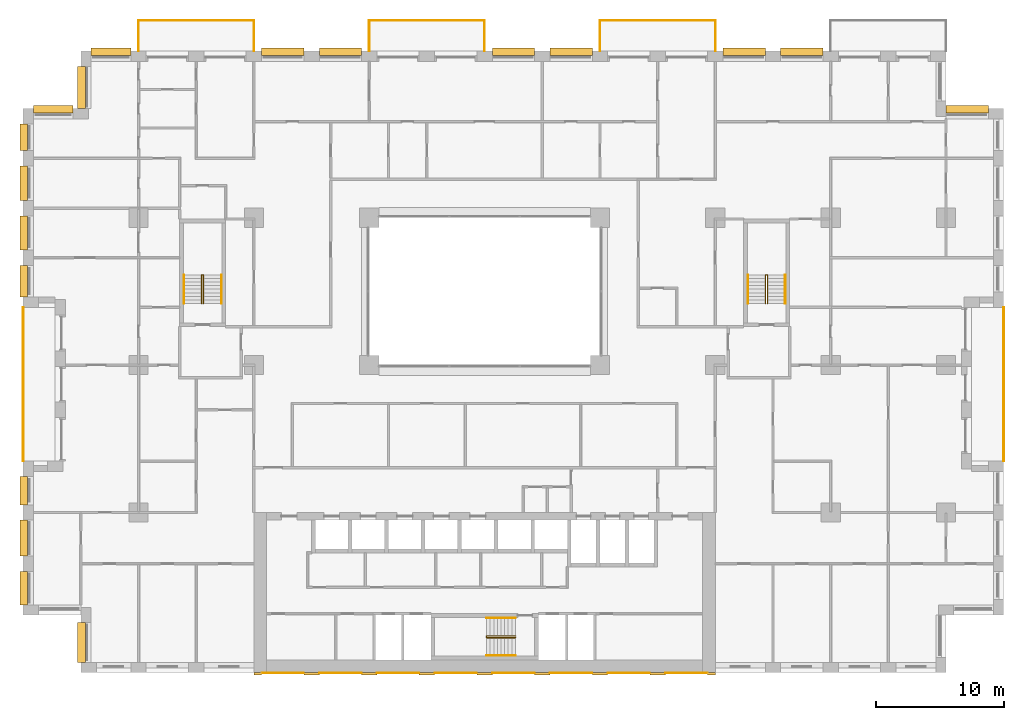
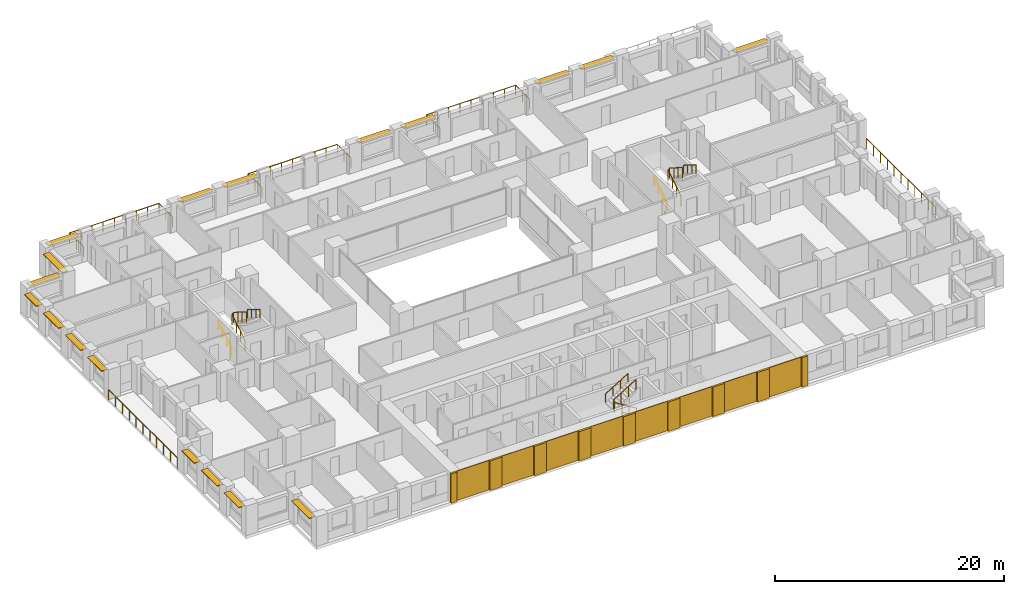
# One storey, part 18 of 19: 18 shading devices, 17 coverings, 14 railings.
"""IFC4 building model written with IfcOpenShell, lengths in metres."""

from ifc_helpers import new_model, si_unit, direction, frame, origin, origin_2d, place, context, subcontext, project, spatial, rectangle, circle, extrude, material, layer, layer_set, type_object, element, save


model = new_model("IFC4")

# Units and contexts
model_context = context("Model", 3, precision=1e-05, world=origin(), true_north=direction((0.0, 1.0)))
body_context = subcontext(model_context, "Body", "Model", "MODEL_VIEW")
ifc_project = project(units=[si_unit("LENGTHUNIT", "METRE"), si_unit("AREAUNIT", "SQUARE_METRE"), si_unit("VOLUMEUNIT", "CUBIC_METRE"), si_unit("PLANEANGLEUNIT", "RADIAN"), si_unit("MASSUNIT", "GRAM", prefix="KILO")], contexts=[model_context])

# Site, building, storey
site_placement = place(None, origin())
site = spatial("IfcSite", under=ifc_project, at=site_placement, CompositionType="ELEMENT")
building_placement = place(site_placement, origin())
building = spatial("IfcBuilding", under=site, at=building_placement, Name="Brigalow Station Residences", CompositionType="ELEMENT")
storey_placement = place(building_placement, frame((0.0, 0.0, 35.25)))
storey = spatial("IfcBuildingStorey", under=building, at=storey_placement, Name="L09", CompositionType="ELEMENT", Elevation=35.25)

# Railings
ifc_material_1 = material(Name="Stainless steel balustrade with laminated glass infill", Category="steel")
railing_type_1 = type_object("IfcRailingType", Name="BALCONY GUARD 1100", PredefinedType="GUARDRAIL", material=ifc_material_1)
railing_1_placement = place(storey_placement, frame((76.5, 16.5, -0.0400390625)))
element("IfcRailing", 1, at=railing_1_placement, inside=storey, type_object=railing_type_1, Name="L09/balcony-guard/1", PredefinedType="GUARDRAIL", context=body_context, shape_type="SweptSolid", body=[
    extrude(circle(Radius=0.02392578125, at=origin_2d()), frame((0.0, 0.0, 1.076171875), z_axis=(0.0, 1.0, 0.0), x_axis=(-1.0, 0.0, 0.0)), (0.0, 0.0, 1.0), 12.0),
    extrude(circle(Radius=0.02099609375, at=origin_2d()), origin(), (0.0, 0.0, 1.0), 1.052001953125),
    extrude(circle(Radius=0.02099609375, at=origin_2d()), frame((0.0, 1.199951171875, 0.0)), (0.0, 0.0, 1.0), 1.052001953125),
    extrude(circle(Radius=0.02099609375, at=origin_2d()), frame((0.0, 2.39990234375, 0.0)), (0.0, 0.0, 1.0), 1.052001953125),
    extrude(circle(Radius=0.02099609375, at=origin_2d()), frame((0.0, 3.60009765625, 0.0)), (0.0, 0.0, 1.0), 1.052001953125),
    extrude(circle(Radius=0.02099609375, at=origin_2d()), frame((0.0, 4.800048828125, 0.0)), (0.0, 0.0, 1.0), 1.052001953125),
    extrude(circle(Radius=0.02099609375, at=origin_2d()), frame((0.0, 6.0, 0.0)), (0.0, 0.0, 1.0), 1.052001953125),
    extrude(circle(Radius=0.02099609375, at=origin_2d()), frame((0.0, 7.199951171875, 0.0)), (0.0, 0.0, 1.0), 1.052001953125),
    extrude(circle(Radius=0.02099609375, at=origin_2d()), frame((0.0, 8.39990234375, 0.0)), (0.0, 0.0, 1.0), 1.052001953125),
    extrude(circle(Radius=0.02099609375, at=origin_2d()), frame((0.0, 9.60009765625, 0.0)), (0.0, 0.0, 1.0), 1.052001953125),
    extrude(circle(Radius=0.02099609375, at=origin_2d()), frame((0.0, 10.800048828125, 0.0)), (0.0, 0.0, 1.0), 1.052001953125),
    extrude(circle(Radius=0.02099609375, at=origin_2d()), frame((0.0, 12.0, 0.0)), (0.0, 0.0, 1.0), 1.052001953125),
])
railing_2_placement = place(storey_placement, frame((54.0, 48.5, -0.0400390625)))
element("IfcRailing", 2, at=railing_2_placement, inside=storey, type_object=railing_type_1, Name="L09/balcony-guard/3", PredefinedType="GUARDRAIL", context=body_context, shape_type="SweptSolid", body=[
    extrude(circle(Radius=0.02392578125, at=origin_2d()), frame((0.0, 0.0, 1.076171875), z_axis=(0.0, 1.0, 0.0), x_axis=(-1.0, 0.0, 0.0)), (0.0, 0.0, 1.0), 2.39990234375),
    extrude(circle(Radius=0.02392578125, at=origin_2d()), frame((0.0, 2.39990234375, 1.076171875), z_axis=(-1.0, 0.0, 0.0), x_axis=(0.0, -1.0, 0.0)), (0.0, 0.0, 1.0), 9.0),
    extrude(circle(Radius=0.02392578125, at=origin_2d()), frame((-9.0, 2.39990234375, 1.076171875), z_axis=(0.0, -1.0, 0.0), x_axis=(1.0, 0.0, 0.0)), (0.0, 0.0, 1.0), 2.39990234375),
    extrude(circle(Radius=0.02099609375, at=origin_2d()), origin(), (0.0, 0.0, 1.0), 1.052001953125),
    extrude(circle(Radius=0.02099609375, at=origin_2d()), frame((0.0, 1.199951171875, 0.0)), (0.0, 0.0, 1.0), 1.052001953125),
    extrude(circle(Radius=0.02099609375, at=origin_2d()), frame((0.0, 2.39990234375, 0.0)), (0.0, 0.0, 1.0), 1.052001953125),
    extrude(circle(Radius=0.02099609375, at=origin_2d()), frame((-1.125, 2.39990234375, 0.0)), (0.0, 0.0, 1.0), 1.052001953125),
    extrude(circle(Radius=0.02099609375, at=origin_2d()), frame((-2.25, 2.39990234375, 0.0)), (0.0, 0.0, 1.0), 1.052001953125),
    extrude(circle(Radius=0.02099609375, at=origin_2d()), frame((-3.375, 2.39990234375, 0.0)), (0.0, 0.0, 1.0), 1.052001953125),
    extrude(circle(Radius=0.02099609375, at=origin_2d()), frame((-4.5, 2.39990234375, 0.0)), (0.0, 0.0, 1.0), 1.052001953125),
    extrude(circle(Radius=0.02099609375, at=origin_2d()), frame((-5.625, 2.39990234375, 0.0)), (0.0, 0.0, 1.0), 1.052001953125),
    extrude(circle(Radius=0.02099609375, at=origin_2d()), frame((-6.75, 2.39990234375, 0.0)), (0.0, 0.0, 1.0), 1.052001953125),
    extrude(circle(Radius=0.02099609375, at=origin_2d()), frame((-7.875, 2.39990234375, 0.0)), (0.0, 0.0, 1.0), 1.052001953125),
    extrude(circle(Radius=0.02099609375, at=origin_2d()), frame((-9.0, 2.39990234375, 0.0)), (0.0, 0.0, 1.0), 1.052001953125),
    extrude(circle(Radius=0.02099609375, at=origin_2d()), frame((-9.0, 1.199951171875, 0.0)), (0.0, 0.0, 1.0), 1.052001953125),
    extrude(circle(Radius=0.02099609375, at=origin_2d()), frame((-9.0, 0.0, 0.0)), (0.0, 0.0, 1.0), 1.052001953125),
])
railing_3_placement = place(storey_placement, frame((36.0, 48.5, -0.0400390625)))
element("IfcRailing", 3, at=railing_3_placement, inside=storey, type_object=railing_type_1, Name="L09/balcony-guard/4", PredefinedType="GUARDRAIL", context=body_context, shape_type="SweptSolid", body=[
    extrude(circle(Radius=0.02392578125, at=origin_2d()), frame((0.0, 0.0, 1.076171875), z_axis=(0.0, 1.0, 0.0), x_axis=(-1.0, 0.0, 0.0)), (0.0, 0.0, 1.0), 2.39990234375),
    extrude(circle(Radius=0.02392578125, at=origin_2d()), frame((0.0, 2.39990234375, 1.076171875), z_axis=(-1.0, 0.0, 0.0), x_axis=(0.0, -1.0, 0.0)), (0.0, 0.0, 1.0), 9.0),
    extrude(circle(Radius=0.02392578125, at=origin_2d()), frame((-9.0, 2.39990234375, 1.076171875), z_axis=(0.0, -1.0, 0.0), x_axis=(1.0, 0.0, 0.0)), (0.0, 0.0, 1.0), 2.39990234375),
    extrude(circle(Radius=0.02099609375, at=origin_2d()), origin(), (0.0, 0.0, 1.0), 1.052001953125),
    extrude(circle(Radius=0.02099609375, at=origin_2d()), frame((0.0, 1.199951171875, 0.0)), (0.0, 0.0, 1.0), 1.052001953125),
    extrude(circle(Radius=0.02099609375, at=origin_2d()), frame((0.0, 2.39990234375, 0.0)), (0.0, 0.0, 1.0), 1.052001953125),
    extrude(circle(Radius=0.02099609375, at=origin_2d()), frame((-1.125, 2.39990234375, 0.0)), (0.0, 0.0, 1.0), 1.052001953125),
    extrude(circle(Radius=0.02099609375, at=origin_2d()), frame((-2.25, 2.39990234375, 0.0)), (0.0, 0.0, 1.0), 1.052001953125),
    extrude(circle(Radius=0.02099609375, at=origin_2d()), frame((-3.375, 2.39990234375, 0.0)), (0.0, 0.0, 1.0), 1.052001953125),
    extrude(circle(Radius=0.02099609375, at=origin_2d()), frame((-4.5, 2.39990234375, 0.0)), (0.0, 0.0, 1.0), 1.052001953125),
    extrude(circle(Radius=0.02099609375, at=origin_2d()), frame((-5.625, 2.39990234375, 0.0)), (0.0, 0.0, 1.0), 1.052001953125),
    extrude(circle(Radius=0.02099609375, at=origin_2d()), frame((-6.75, 2.39990234375, 0.0)), (0.0, 0.0, 1.0), 1.052001953125),
    extrude(circle(Radius=0.02099609375, at=origin_2d()), frame((-7.875, 2.39990234375, 0.0)), (0.0, 0.0, 1.0), 1.052001953125),
    extrude(circle(Radius=0.02099609375, at=origin_2d()), frame((-9.0, 2.39990234375, 0.0)), (0.0, 0.0, 1.0), 1.052001953125),
    extrude(circle(Radius=0.02099609375, at=origin_2d()), frame((-9.0, 1.199951171875, 0.0)), (0.0, 0.0, 1.0), 1.052001953125),
    extrude(circle(Radius=0.02099609375, at=origin_2d()), frame((-9.0, 0.0, 0.0)), (0.0, 0.0, 1.0), 1.052001953125),
])
railing_4_placement = place(storey_placement, frame((18.0, 48.5, -0.0400390625)))
element("IfcRailing", 4, at=railing_4_placement, inside=storey, type_object=railing_type_1, Name="L09/balcony-guard/5", PredefinedType="GUARDRAIL", context=body_context, shape_type="SweptSolid", body=[
    extrude(circle(Radius=0.02392578125, at=origin_2d()), frame((0.0, 0.0, 1.076171875), z_axis=(0.0, 1.0, 0.0), x_axis=(-1.0, 0.0, 0.0)), (0.0, 0.0, 1.0), 2.39990234375),
    extrude(circle(Radius=0.02392578125, at=origin_2d()), frame((0.0, 2.39990234375, 1.076171875), z_axis=(-1.0, 0.0, 0.0), x_axis=(0.0, -1.0, 0.0)), (0.0, 0.0, 1.0), 9.0),
    extrude(circle(Radius=0.02392578125, at=origin_2d()), frame((-9.0, 2.39990234375, 1.076171875), z_axis=(0.0, -1.0, 0.0), x_axis=(1.0, 0.0, 0.0)), (0.0, 0.0, 1.0), 2.39990234375),
    extrude(circle(Radius=0.02099609375, at=origin_2d()), origin(), (0.0, 0.0, 1.0), 1.052001953125),
    extrude(circle(Radius=0.02099609375, at=origin_2d()), frame((0.0, 1.199951171875, 0.0)), (0.0, 0.0, 1.0), 1.052001953125),
    extrude(circle(Radius=0.02099609375, at=origin_2d()), frame((0.0, 2.39990234375, 0.0)), (0.0, 0.0, 1.0), 1.052001953125),
    extrude(circle(Radius=0.02099609375, at=origin_2d()), frame((-1.125, 2.39990234375, 0.0)), (0.0, 0.0, 1.0), 1.052001953125),
    extrude(circle(Radius=0.02099609375, at=origin_2d()), frame((-2.25, 2.39990234375, 0.0)), (0.0, 0.0, 1.0), 1.052001953125),
    extrude(circle(Radius=0.02099609375, at=origin_2d()), frame((-3.375, 2.39990234375, 0.0)), (0.0, 0.0, 1.0), 1.052001953125),
    extrude(circle(Radius=0.02099609375, at=origin_2d()), frame((-4.5, 2.39990234375, 0.0)), (0.0, 0.0, 1.0), 1.052001953125),
    extrude(circle(Radius=0.02099609375, at=origin_2d()), frame((-5.625, 2.39990234375, 0.0)), (0.0, 0.0, 1.0), 1.052001953125),
    extrude(circle(Radius=0.02099609375, at=origin_2d()), frame((-6.75, 2.39990234375, 0.0)), (0.0, 0.0, 1.0), 1.052001953125),
    extrude(circle(Radius=0.02099609375, at=origin_2d()), frame((-7.875, 2.39990234375, 0.0)), (0.0, 0.0, 1.0), 1.052001953125),
    extrude(circle(Radius=0.02099609375, at=origin_2d()), frame((-9.0, 2.39990234375, 0.0)), (0.0, 0.0, 1.0), 1.052001953125),
    extrude(circle(Radius=0.02099609375, at=origin_2d()), frame((-9.0, 1.199951171875, 0.0)), (0.0, 0.0, 1.0), 1.052001953125),
    extrude(circle(Radius=0.02099609375, at=origin_2d()), frame((-9.0, 0.0, 0.0)), (0.0, 0.0, 1.0), 1.052001953125),
])
railing_5_placement = place(storey_placement, frame((0.0, 28.5, -0.0400390625)))
element("IfcRailing", 5, at=railing_5_placement, inside=storey, type_object=railing_type_1, Name="L09/balcony-guard/6", PredefinedType="GUARDRAIL", context=body_context, shape_type="SweptSolid", body=[
    extrude(circle(Radius=0.02392578125, at=origin_2d()), frame((0.0, 0.0, 1.076171875), z_axis=(0.0, -1.0, 0.0), x_axis=(1.0, 0.0, 0.0)), (0.0, 0.0, 1.0), 12.0),
    extrude(circle(Radius=0.02099609375, at=origin_2d()), origin(), (0.0, 0.0, 1.0), 1.052001953125),
    extrude(circle(Radius=0.02099609375, at=origin_2d()), frame((0.0, -1.199951171875, 0.0)), (0.0, 0.0, 1.0), 1.052001953125),
    extrude(circle(Radius=0.02099609375, at=origin_2d()), frame((0.0, -2.39990234375, 0.0)), (0.0, 0.0, 1.0), 1.052001953125),
    extrude(circle(Radius=0.02099609375, at=origin_2d()), frame((0.0, -3.60009765625, 0.0)), (0.0, 0.0, 1.0), 1.052001953125),
    extrude(circle(Radius=0.02099609375, at=origin_2d()), frame((0.0, -4.800048828125, 0.0)), (0.0, 0.0, 1.0), 1.052001953125),
    extrude(circle(Radius=0.02099609375, at=origin_2d()), frame((0.0, -6.0, 0.0)), (0.0, 0.0, 1.0), 1.052001953125),
    extrude(circle(Radius=0.02099609375, at=origin_2d()), frame((0.0, -7.199951171875, 0.0)), (0.0, 0.0, 1.0), 1.052001953125),
    extrude(circle(Radius=0.02099609375, at=origin_2d()), frame((0.0, -8.39990234375, 0.0)), (0.0, 0.0, 1.0), 1.052001953125),
    extrude(circle(Radius=0.02099609375, at=origin_2d()), frame((0.0, -9.60009765625, 0.0)), (0.0, 0.0, 1.0), 1.052001953125),
    extrude(circle(Radius=0.02099609375, at=origin_2d()), frame((0.0, -10.800048828125, 0.0)), (0.0, 0.0, 1.0), 1.052001953125),
    extrude(circle(Radius=0.02099609375, at=origin_2d()), frame((0.0, -12.0, 0.0)), (0.0, 0.0, 1.0), 1.052001953125),
])

# Coverings
ifc_material_2 = material(Name="Clay brick masonry", Category="masonry")
ifc_layer_1 = layer(ifc_material_2, 0.06005859375)
ifc_layer_set_1 = layer_set([ifc_layer_1], Name="BRICK PANEL FACING 60")
covering_type_1 = type_object("IfcCoveringType", Name="BRICK PANEL FACING 60", PredefinedType="CLADDING", material=ifc_layer_set_1)
for number, where, z_axis, x_axis, name in (
    (6, (20.25, -0.030029296875, 0.0), (0.0, 0.0, 1.0), (1.0, 0.0, 0.0), "L09/rear-facing/panel-1"),
    (7, (24.75, -0.030029296875, 0.0), (0.0, 0.0, 1.0), (1.0, 0.0, 0.0), "L09/rear-facing/panel-2"),
    (8, (29.25, -0.030029296875, 0.0), (0.0, 0.0, 1.0), (1.0, 0.0, 0.0), "L09/rear-facing/panel-3"),
    (9, (33.75, -0.030029296875, 0.0), (0.0, 0.0, 1.0), (1.0, 0.0, 0.0), "L09/rear-facing/panel-4"),
    (10, (38.25, -0.030029296875, 0.0), (0.0, 0.0, 1.0), (1.0, 0.0, 0.0), "L09/rear-facing/panel-5"),
    (11, (42.75, -0.030029296875, 0.0), (0.0, 0.0, 1.0), (1.0, 0.0, 0.0), "L09/rear-facing/panel-6"),
    (12, (47.25, -0.030029296875, 0.0), (0.0, 0.0, 1.0), (1.0, 0.0, 0.0), "L09/rear-facing/panel-7"),
    (13, (51.75, -0.030029296875, 0.0), (0.0, 0.0, 1.0), (1.0, 0.0, 0.0), "L09/rear-facing/panel-8"),
):
    element("IfcCovering", number, at=place(storey_placement, frame(where, z_axis=z_axis, x_axis=x_axis)), inside=storey, type_object=covering_type_1, Name=name, PredefinedType="CLADDING", context=body_context, shape_type="SweptSolid", body=[
        extrude(rectangle(XDim=3.300048828125, YDim=0.06005859375, at=origin_2d()), origin(), (0.0, 0.0, 1.0), 3.14990234375),
    ])
ifc_material_3 = material(Name="Clay brick masonry", Category="masonry")
ifc_layer_2 = layer(ifc_material_3, 0.199951171875)
ifc_layer_set_2 = layer_set([ifc_layer_2], Name="BRICK PIER FACING 200")
covering_type_2 = type_object("IfcCoveringType", Name="BRICK PIER FACING 200", PredefinedType="CLADDING", material=ifc_layer_set_2)
covering_1_placement = place(storey_placement, frame((18.300048828125, -0.10009765625, 0.0), z_axis=(0.0, 0.0, 1.0), x_axis=(1.0, 0.0, 0.0)))
element("IfcCovering", 14, at=covering_1_placement, inside=storey, type_object=covering_type_2, Name="L09/rear-facing/pier-1", PredefinedType="CLADDING", context=body_context, shape_type="SweptSolid", body=[
    extrude(rectangle(XDim=0.60009765625, YDim=0.199951171875, at=origin_2d()), origin(), (0.0, 0.0, 1.0), 3.14990234375),
])
for number, where, z_axis, x_axis, name in (
    (15, (22.5, -0.10009765625, 0.0), (0.0, 0.0, 1.0), (1.0, 0.0, 0.0), "L09/rear-facing/pier-2"),
    (16, (27.0, -0.10009765625, 0.0), (0.0, 0.0, 1.0), (1.0, 0.0, 0.0), "L09/rear-facing/pier-3"),
    (17, (31.5, -0.10009765625, 0.0), (0.0, 0.0, 1.0), (1.0, 0.0, 0.0), "L09/rear-facing/pier-4"),
    (18, (36.0, -0.10009765625, 0.0), (0.0, 0.0, 1.0), (1.0, 0.0, 0.0), "L09/rear-facing/pier-5"),
    (19, (40.5, -0.10009765625, 0.0), (0.0, 0.0, 1.0), (1.0, 0.0, 0.0), "L09/rear-facing/pier-6"),
    (20, (45.0, -0.10009765625, 0.0), (0.0, 0.0, 1.0), (1.0, 0.0, 0.0), "L09/rear-facing/pier-7"),
    (21, (49.5, -0.10009765625, 0.0), (0.0, 0.0, 1.0), (1.0, 0.0, 0.0), "L09/rear-facing/pier-8"),
):
    element("IfcCovering", number, at=place(storey_placement, frame(where, z_axis=z_axis, x_axis=x_axis)), inside=storey, type_object=covering_type_2, Name=name, PredefinedType="CLADDING", context=body_context, shape_type="SweptSolid", body=[
        extrude(rectangle(XDim=1.199951171875, YDim=0.199951171875, at=origin_2d()), origin(), (0.0, 0.0, 1.0), 3.14990234375),
    ])
covering_2_placement = place(storey_placement, frame((53.699951171875, -0.10009765625, 0.0), z_axis=(0.0, 0.0, 1.0), x_axis=(1.0, 0.0, 0.0)))
element("IfcCovering", 22, at=covering_2_placement, inside=storey, type_object=covering_type_2, Name="L09/rear-facing/pier-9", PredefinedType="CLADDING", context=body_context, shape_type="SweptSolid", body=[
    extrude(rectangle(XDim=0.60009765625, YDim=0.199951171875, at=origin_2d()), origin(), (0.0, 0.0, 1.0), 3.14990234375),
])

# Railings
ifc_material_4 = material(Name="Stainless steel balustrade", Category="steel")
railing_type_2 = type_object("IfcRailingType", Name="STAIR GUARD 1100", PredefinedType="GUARDRAIL", material=ifc_material_4)
railing_6_placement = place(storey_placement, frame((38.39990234375, 2.72998046875, 0.175048828125)))
element("IfcRailing", 23, at=railing_6_placement, inside=storey, type_object=railing_type_2, Name="GUARD GR-2", PredefinedType="GUARDRAIL", context=body_context, shape_type="SweptSolid", body=[
    extrude(circle(Radius=0.02392578125, at=origin_2d()), frame((0.0, 0.0, 1.076171875), z_axis=(-0.848013881152, 0.0, 0.529974015752), x_axis=(0.0, -1.0, 0.0)), (0.0, 0.0, 1.0), 2.641357421875),
    extrude(circle(Radius=0.02392578125, at=origin_2d()), frame((-2.239990234375, 0.0, 2.47607421875), z_axis=(0.0, 0.624960567888, 0.780656319122), x_axis=(-1.0, 0.0, 0.0)), (0.0, 0.0, 1.0), 0.22412109375),
    extrude(circle(Radius=0.02392578125, at=origin_2d()), frame((-2.239990234375, 0.14013671875, 2.65087890625), z_axis=(0.848013881152, 0.0, 0.529974015752), x_axis=(0.0, 1.0, 0.0)), (0.0, 0.0, 1.0), 2.641357421875),
    extrude(circle(Radius=0.02099609375, at=origin_2d()), origin(), (0.0, 0.0, 1.0), 1.052001953125),
    extrude(circle(Radius=0.02099609375, at=origin_2d()), frame((-0.74658203125, 0.0, 0.466552734375)), (0.0, 0.0, 1.0), 1.052001953125),
    extrude(circle(Radius=0.02099609375, at=origin_2d()), frame((-1.493408203125, 0.0, 0.933349609375)), (0.0, 0.0, 1.0), 1.052001953125),
    extrude(circle(Radius=0.02099609375, at=origin_2d()), frame((-2.239990234375, 0.0, 1.39990234375)), (0.0, 0.0, 1.0), 1.052001953125),
    extrude(circle(Radius=0.02099609375, at=origin_2d()), frame((-2.239990234375, 0.14013671875, 1.574951171875)), (0.0, 0.0, 1.0), 1.052001953125),
    extrude(circle(Radius=0.02099609375, at=origin_2d()), frame((-1.493408203125, 0.14013671875, 2.04150390625)), (0.0, 0.0, 1.0), 1.052001953125),
    extrude(circle(Radius=0.02099609375, at=origin_2d()), frame((-0.74658203125, 0.14013671875, 2.50830078125)), (0.0, 0.0, 1.0), 1.052001953125),
    extrude(circle(Radius=0.02099609375, at=origin_2d()), frame((0.0, 0.14013671875, 2.974853515625)), (0.0, 0.0, 1.0), 1.052001953125),
])
for number, where, name in (
    (24, (13.929931640625, 28.800048828125, 0.175048828125), "GUARD GR-1"),
    (25, (57.929931640625, 28.800048828125, 0.175048828125), "GUARD GR-3"),
):
    element("IfcRailing", number, at=place(storey_placement, frame(where)), inside=storey, type_object=railing_type_2, Name=name, PredefinedType="GUARDRAIL", context=body_context, shape_type="SweptSolid", body=[
        extrude(circle(Radius=0.02392578125, at=origin_2d()), frame((0.0, 0.0, 1.076171875), z_axis=(0.0, 0.848013881152, 0.529974015752), x_axis=(-1.0, 0.0, 0.0)), (0.0, 0.0, 1.0), 2.641357421875),
        extrude(circle(Radius=0.02392578125, at=origin_2d()), frame((0.0, 2.239990234375, 2.47607421875), z_axis=(0.624960567888, 0.0, 0.780656319122), x_axis=(0.0, 1.0, 0.0)), (0.0, 0.0, 1.0), 0.22412109375),
        extrude(circle(Radius=0.02392578125, at=origin_2d()), frame((0.14013671875, 2.239990234375, 2.65087890625), z_axis=(0.0, -0.848013881152, 0.529974015752), x_axis=(1.0, 0.0, 0.0)), (0.0, 0.0, 1.0), 2.641357421875),
        extrude(circle(Radius=0.02099609375, at=origin_2d()), origin(), (0.0, 0.0, 1.0), 1.052001953125),
        extrude(circle(Radius=0.02099609375, at=origin_2d()), frame((0.0, 0.74658203125, 0.466552734375)), (0.0, 0.0, 1.0), 1.052001953125),
        extrude(circle(Radius=0.02099609375, at=origin_2d()), frame((0.0, 1.493408203125, 0.933349609375)), (0.0, 0.0, 1.0), 1.052001953125),
        extrude(circle(Radius=0.02099609375, at=origin_2d()), frame((0.0, 2.239990234375, 1.39990234375)), (0.0, 0.0, 1.0), 1.052001953125),
        extrude(circle(Radius=0.02099609375, at=origin_2d()), frame((0.14013671875, 2.239990234375, 1.574951171875)), (0.0, 0.0, 1.0), 1.052001953125),
        extrude(circle(Radius=0.02099609375, at=origin_2d()), frame((0.14013671875, 1.493408203125, 2.04150390625)), (0.0, 0.0, 1.0), 1.052001953125),
        extrude(circle(Radius=0.02099609375, at=origin_2d()), frame((0.14013671875, 0.74658203125, 2.50830078125)), (0.0, 0.0, 1.0), 1.052001953125),
        extrude(circle(Radius=0.02099609375, at=origin_2d()), frame((0.14013671875, 0.0, 2.974853515625)), (0.0, 0.0, 1.0), 1.052001953125),
    ])
ifc_material_5 = material(Name="Stainless steel handrail", Category="steel")
railing_type_3 = type_object("IfcRailingType", Name="STAIR HANDRAIL 900", PredefinedType="HANDRAIL", material=ifc_material_5)
railing_7_placement = place(storey_placement, frame((38.39990234375, 1.340087890625, 0.175048828125)))
element("IfcRailing", 26, at=railing_7_placement, inside=storey, type_object=railing_type_3, Name="HANDRAIL HR-21", PredefinedType="HANDRAIL", context=body_context, shape_type="SweptSolid", body=[
    extrude(circle(Radius=0.02392578125, at=origin_2d()), frame((0.0, 0.0, 0.8759765625), z_axis=(-0.848013881152, 0.0, 0.529974015752), x_axis=(0.0, -1.0, 0.0)), (0.0, 0.0, 1.0), 2.641357421875),
    extrude(circle(Radius=0.02099609375, at=origin_2d()), origin(), (0.0, 0.0, 1.0), 0.851806640625),
    extrude(circle(Radius=0.02099609375, at=origin_2d()), frame((-0.74658203125, 0.0, 0.466552734375)), (0.0, 0.0, 1.0), 0.851806640625),
    extrude(circle(Radius=0.02099609375, at=origin_2d()), frame((-1.493408203125, 0.0, 0.933349609375)), (0.0, 0.0, 1.0), 0.851806640625),
    extrude(circle(Radius=0.02099609375, at=origin_2d()), frame((-2.239990234375, 0.0, 1.39990234375)), (0.0, 0.0, 1.0), 0.851806640625),
])
railing_8_placement = place(storey_placement, frame((36.159912109375, 4.260009765625, 1.75)))
element("IfcRailing", 27, at=railing_8_placement, inside=storey, type_object=railing_type_3, Name="HANDRAIL HR-22", PredefinedType="HANDRAIL", context=body_context, shape_type="SweptSolid", body=[
    extrude(circle(Radius=0.02392578125, at=origin_2d()), frame((0.0, 0.0, 0.8759765625), z_axis=(0.848013881152, 0.0, 0.529974015752), x_axis=(0.0, 1.0, 0.0)), (0.0, 0.0, 1.0), 2.641357421875),
    extrude(circle(Radius=0.02099609375, at=origin_2d()), origin(), (0.0, 0.0, 1.0), 0.851806640625),
    extrude(circle(Radius=0.02099609375, at=origin_2d()), frame((0.74658203125, 0.0, 0.466552734375)), (0.0, 0.0, 1.0), 0.851806640625),
    extrude(circle(Radius=0.02099609375, at=origin_2d()), frame((1.493408203125, 0.0, 0.933349609375)), (0.0, 0.0, 1.0), 0.851806640625),
    extrude(circle(Radius=0.02099609375, at=origin_2d()), frame((2.239990234375, 0.0, 1.39990234375)), (0.0, 0.0, 1.0), 0.851806640625),
])
railing_9_placement = place(storey_placement, frame((12.5400390625, 28.800048828125, 0.175048828125)))
element("IfcRailing", 28, at=railing_9_placement, inside=storey, type_object=railing_type_3, Name="HANDRAIL HR-11", PredefinedType="HANDRAIL", context=body_context, shape_type="SweptSolid", body=[
    extrude(circle(Radius=0.02392578125, at=origin_2d()), frame((0.0, 0.0, 0.8759765625), z_axis=(0.0, 0.848013881152, 0.529974015752), x_axis=(-1.0, 0.0, 0.0)), (0.0, 0.0, 1.0), 2.641357421875),
    extrude(circle(Radius=0.02099609375, at=origin_2d()), origin(), (0.0, 0.0, 1.0), 0.851806640625),
    extrude(circle(Radius=0.02099609375, at=origin_2d()), frame((0.0, 0.74658203125, 0.466552734375)), (0.0, 0.0, 1.0), 0.851806640625),
    extrude(circle(Radius=0.02099609375, at=origin_2d()), frame((0.0, 1.493408203125, 0.933349609375)), (0.0, 0.0, 1.0), 0.851806640625),
    extrude(circle(Radius=0.02099609375, at=origin_2d()), frame((0.0, 2.239990234375, 1.39990234375)), (0.0, 0.0, 1.0), 0.851806640625),
])
railing_10_placement = place(storey_placement, frame((15.4599609375, 31.0400390625, 1.75)))
element("IfcRailing", 29, at=railing_10_placement, inside=storey, type_object=railing_type_3, Name="HANDRAIL HR-12", PredefinedType="HANDRAIL", context=body_context, shape_type="SweptSolid", body=[
    extrude(circle(Radius=0.02392578125, at=origin_2d()), frame((0.0, 0.0, 0.8759765625), z_axis=(0.0, -0.848013881152, 0.529974015752), x_axis=(1.0, 0.0, 0.0)), (0.0, 0.0, 1.0), 2.641357421875),
    extrude(circle(Radius=0.02099609375, at=origin_2d()), origin(), (0.0, 0.0, 1.0), 0.851806640625),
    extrude(circle(Radius=0.02099609375, at=origin_2d()), frame((0.0, -0.74658203125, 0.466552734375)), (0.0, 0.0, 1.0), 0.851806640625),
    extrude(circle(Radius=0.02099609375, at=origin_2d()), frame((0.0, -1.493408203125, 0.933349609375)), (0.0, 0.0, 1.0), 0.851806640625),
    extrude(circle(Radius=0.02099609375, at=origin_2d()), frame((0.0, -2.239990234375, 1.39990234375)), (0.0, 0.0, 1.0), 0.851806640625),
])
railing_11_placement = place(storey_placement, frame((56.5400390625, 28.800048828125, 0.175048828125)))
element("IfcRailing", 30, at=railing_11_placement, inside=storey, type_object=railing_type_3, Name="HANDRAIL HR-31", PredefinedType="HANDRAIL", context=body_context, shape_type="SweptSolid", body=[
    extrude(circle(Radius=0.02392578125, at=origin_2d()), frame((0.0, 0.0, 0.8759765625), z_axis=(0.0, 0.848013881152, 0.529974015752), x_axis=(-1.0, 0.0, 0.0)), (0.0, 0.0, 1.0), 2.641357421875),
    extrude(circle(Radius=0.02099609375, at=origin_2d()), origin(), (0.0, 0.0, 1.0), 0.851806640625),
    extrude(circle(Radius=0.02099609375, at=origin_2d()), frame((0.0, 0.74658203125, 0.466552734375)), (0.0, 0.0, 1.0), 0.851806640625),
    extrude(circle(Radius=0.02099609375, at=origin_2d()), frame((0.0, 1.493408203125, 0.933349609375)), (0.0, 0.0, 1.0), 0.851806640625),
    extrude(circle(Radius=0.02099609375, at=origin_2d()), frame((0.0, 2.239990234375, 1.39990234375)), (0.0, 0.0, 1.0), 0.851806640625),
])
railing_12_placement = place(storey_placement, frame((59.4599609375, 31.0400390625, 1.75)))
element("IfcRailing", 31, at=railing_12_placement, inside=storey, type_object=railing_type_3, Name="HANDRAIL HR-32", PredefinedType="HANDRAIL", context=body_context, shape_type="SweptSolid", body=[
    extrude(circle(Radius=0.02392578125, at=origin_2d()), frame((0.0, 0.0, 0.8759765625), z_axis=(0.0, -0.848013881152, 0.529974015752), x_axis=(1.0, 0.0, 0.0)), (0.0, 0.0, 1.0), 2.641357421875),
    extrude(circle(Radius=0.02099609375, at=origin_2d()), origin(), (0.0, 0.0, 1.0), 0.851806640625),
    extrude(circle(Radius=0.02099609375, at=origin_2d()), frame((0.0, -0.74658203125, 0.466552734375)), (0.0, 0.0, 1.0), 0.851806640625),
    extrude(circle(Radius=0.02099609375, at=origin_2d()), frame((0.0, -1.493408203125, 0.933349609375)), (0.0, 0.0, 1.0), 0.851806640625),
    extrude(circle(Radius=0.02099609375, at=origin_2d()), frame((0.0, -2.239990234375, 1.39990234375)), (0.0, 0.0, 1.0), 0.851806640625),
])

# Shading devices
ifc_material_6 = material(Name="Powder-coated extruded aluminium blade", Category="aluminium")
ifc_layer_3 = layer(ifc_material_6, 0.080078125)
ifc_layer_set_3 = layer_set([ifc_layer_3], Name="SUNSHADE BLADE 600x80")
shading_device_type = type_object("IfcShadingDeviceType", Name="SUNSHADE BLADE 600x80", PredefinedType="JALOUSIE", material=ifc_layer_set_3)
for number, where, z_axis, x_axis, name in (
    (32, (73.64990234375, 43.949951171875, 2.550048828125), (0.0, 0.0, 1.0), (-1.0, 0.0, 0.0), "L09/blade/W-L09-23"),
    (33, (60.75, 48.449951171875, 2.550048828125), (0.0, 0.0, 1.0), (-1.0, 0.0, 0.0), "L09/blade/W-L09-27"),
    (34, (56.25, 48.449951171875, 2.550048828125), (0.0, 0.0, 1.0), (-1.0, 0.0, 0.0), "L09/blade/W-L09-28"),
    (35, (42.75, 48.449951171875, 2.550048828125), (0.0, 0.0, 1.0), (-1.0, 0.0, 0.0), "L09/blade/W-L09-31"),
    (36, (38.25, 48.449951171875, 2.550048828125), (0.0, 0.0, 1.0), (-1.0, 0.0, 0.0), "L09/blade/W-L09-32"),
    (37, (24.75, 48.449951171875, 2.550048828125), (0.0, 0.0, 1.0), (-1.0, 0.0, 0.0), "L09/blade/W-L09-35"),
    (38, (20.25, 48.449951171875, 2.550048828125), (0.0, 0.0, 1.0), (-1.0, 0.0, 0.0), "L09/blade/W-L09-36"),
):
    element("IfcShadingDevice", number, at=place(storey_placement, frame(where, z_axis=z_axis, x_axis=x_axis)), inside=storey, type_object=shading_device_type, Name=name, PredefinedType="JALOUSIE", context=body_context, shape_type="SweptSolid", body=[
        extrude(rectangle(XDim=3.300048828125, YDim=0.60009765625, at=origin_2d()), origin(), (0.0, 0.0, 1.0), 0.080078125),
    ])
shading_device_1_placement = place(storey_placement, frame((6.85009765625, 48.449951171875, 2.550048828125), z_axis=(0.0, 0.0, 1.0), x_axis=(-1.0, 0.0, 0.0)))
element("IfcShadingDevice", 39, at=shading_device_1_placement, inside=storey, type_object=shading_device_type, Name="L09/blade/W-L09-39", PredefinedType="JALOUSIE", context=body_context, shape_type="SweptSolid", body=[
    extrude(rectangle(XDim=3.10009765625, YDim=0.60009765625, at=origin_2d()), origin(), (0.0, 0.0, 1.0), 0.080078125),
])
shading_device_2_placement = place(storey_placement, frame((4.550048828125, 45.64990234375, 2.550048828125), z_axis=(0.0, 0.0, 1.0), x_axis=(0.0, -1.0, 0.0)))
element("IfcShadingDevice", 40, at=shading_device_2_placement, inside=storey, type_object=shading_device_type, Name="L09/blade/W-L09-40", PredefinedType="JALOUSIE", context=body_context, shape_type="SweptSolid", body=[
    extrude(rectangle(XDim=3.300048828125, YDim=0.60009765625, at=origin_2d()), origin(), (0.0, 0.0, 1.0), 0.080078125),
])
shading_device_3_placement = place(storey_placement, frame((2.35009765625, 43.949951171875, 2.550048828125), z_axis=(0.0, 0.0, 1.0), x_axis=(-1.0, 0.0, 0.0)))
element("IfcShadingDevice", 41, at=shading_device_3_placement, inside=storey, type_object=shading_device_type, Name="L09/blade/W-L09-41", PredefinedType="JALOUSIE", context=body_context, shape_type="SweptSolid", body=[
    extrude(rectangle(XDim=3.10009765625, YDim=0.60009765625, at=origin_2d()), origin(), (0.0, 0.0, 1.0), 0.080078125),
])
shading_device_4_placement = place(storey_placement, frame((0.050048828125, 41.762451171875, 2.550048828125), z_axis=(0.0, 0.0, 1.0), x_axis=(0.0, -1.0, 0.0)))
element("IfcShadingDevice", 42, at=shading_device_4_placement, inside=storey, type_object=shading_device_type, Name="L09/blade/W-L09-42", PredefinedType="JALOUSIE", context=body_context, shape_type="SweptSolid", body=[
    extrude(rectangle(XDim=2.074951171875, YDim=0.60009765625, at=origin_2d()), origin(), (0.0, 0.0, 1.0), 0.080078125),
])
for number, where, z_axis, x_axis, name in (
    (43, (0.050048828125, 38.1875, 2.550048828125), (0.0, 0.0, 1.0), (0.0, -1.0, 0.0), "L09/blade/W-L09-43"),
    (44, (0.050048828125, 34.3125, 2.550048828125), (0.0, 0.0, 1.0), (0.0, -1.0, 0.0), "L09/blade/W-L09-44"),
):
    element("IfcShadingDevice", number, at=place(storey_placement, frame(where, z_axis=z_axis, x_axis=x_axis)), inside=storey, type_object=shading_device_type, Name=name, PredefinedType="JALOUSIE", context=body_context, shape_type="SweptSolid", body=[
        extrude(rectangle(XDim=2.675048828125, YDim=0.60009765625, at=origin_2d()), origin(), (0.0, 0.0, 1.0), 0.080078125),
    ])
shading_device_5_placement = place(storey_placement, frame((0.050048828125, 30.53759765625, 2.550048828125), z_axis=(0.0, 0.0, 1.0), x_axis=(0.0, -1.0, 0.0)))
element("IfcShadingDevice", 45, at=shading_device_5_placement, inside=storey, type_object=shading_device_type, Name="L09/blade/W-L09-45", PredefinedType="JALOUSIE", context=body_context, shape_type="SweptSolid", body=[
    extrude(rectangle(XDim=2.47509765625, YDim=0.60009765625, at=origin_2d()), origin(), (0.0, 0.0, 1.0), 0.080078125),
])
shading_device_6_placement = place(storey_placement, frame((0.050048828125, 14.199951171875, 2.550048828125), z_axis=(0.0, 0.0, 1.0), x_axis=(0.0, -1.0, 0.0)))
element("IfcShadingDevice", 46, at=shading_device_6_placement, inside=storey, type_object=shading_device_type, Name="L09/blade/W-L09-51", PredefinedType="JALOUSIE", context=body_context, shape_type="SweptSolid", body=[
    extrude(rectangle(XDim=2.199951171875, YDim=0.60009765625, at=origin_2d()), origin(), (0.0, 0.0, 1.0), 0.080078125),
])
shading_device_7_placement = place(storey_placement, frame((0.050048828125, 10.5, 2.550048828125), z_axis=(0.0, 0.0, 1.0), x_axis=(0.0, -1.0, 0.0)))
element("IfcShadingDevice", 47, at=shading_device_7_placement, inside=storey, type_object=shading_device_type, Name="L09/blade/W-L09-52", PredefinedType="JALOUSIE", context=body_context, shape_type="SweptSolid", body=[
    extrude(rectangle(XDim=2.800048828125, YDim=0.60009765625, at=origin_2d()), origin(), (0.0, 0.0, 1.0), 0.080078125),
])
shading_device_8_placement = place(storey_placement, frame((0.050048828125, 6.60009765625, 2.550048828125), z_axis=(0.0, 0.0, 1.0), x_axis=(0.0, -1.0, 0.0)))
element("IfcShadingDevice", 48, at=shading_device_8_placement, inside=storey, type_object=shading_device_type, Name="L09/blade/W-L09-53", PredefinedType="JALOUSIE", context=body_context, shape_type="SweptSolid", body=[
    extrude(rectangle(XDim=2.60009765625, YDim=0.60009765625, at=origin_2d()), origin(), (0.0, 0.0, 1.0), 0.080078125),
])
shading_device_9_placement = place(storey_placement, frame((4.550048828125, 2.35009765625, 2.550048828125), z_axis=(0.0, 0.0, 1.0), x_axis=(0.0, -1.0, 0.0)))
element("IfcShadingDevice", 49, at=shading_device_9_placement, inside=storey, type_object=shading_device_type, Name="L09/blade/W-L09-55", PredefinedType="JALOUSIE", context=body_context, shape_type="SweptSolid", body=[
    extrude(rectangle(XDim=3.10009765625, YDim=0.60009765625, at=origin_2d()), origin(), (0.0, 0.0, 1.0), 0.080078125),
])

save(model, "model.ifc")
